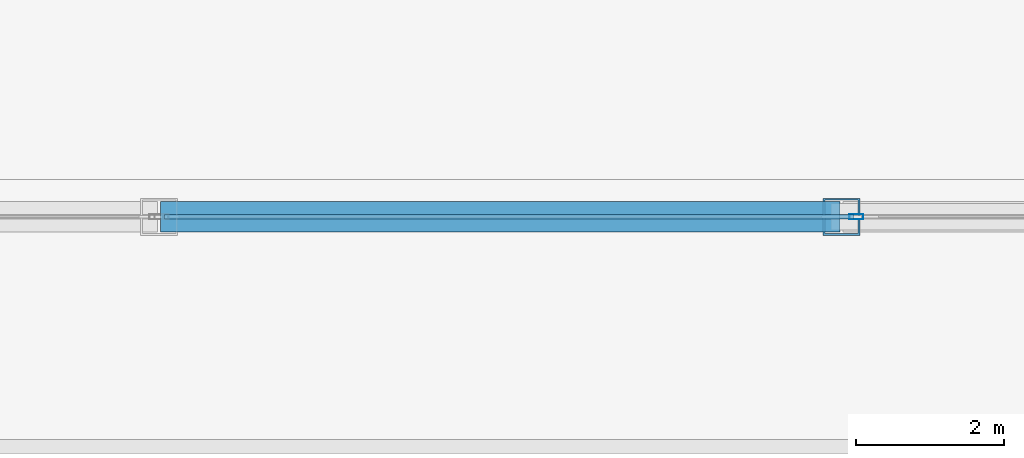
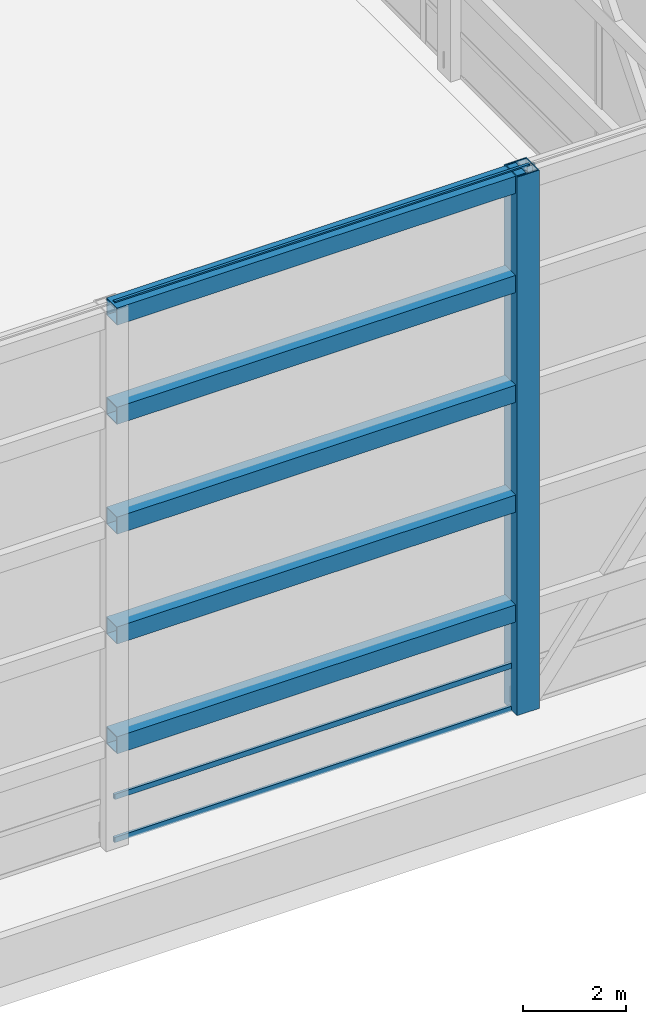
# One storey, part 6 of 23: 5 beams, 5 members, 1 element without a shape of its own.
"""IFC4 building model written with IfcOpenShell, lengths in metres."""

from ifc_helpers import new_model, si_unit, direction, frame, origin, origin_2d, place, context, subcontext, project, spatial, hollow_rectangle, extrude, source, transform, mapped, material, layer, layer_set, material_profile, profile_set, type_object, type_shapes, element, aggregate, save


model = new_model("IFC4")

# Units and contexts
model_context = context("Model", 3, precision=1e-05, world=origin(), true_north=direction((0.0, 1.0)))
body_context = subcontext(model_context, "Body", "Model", "MODEL_VIEW")
ifc_project = project(units=[si_unit("LENGTHUNIT", "METRE"), si_unit("AREAUNIT", "SQUARE_METRE"), si_unit("VOLUMEUNIT", "CUBIC_METRE"), si_unit("PLANEANGLEUNIT", "RADIAN"), si_unit("MASSUNIT", "GRAM", prefix="KILO")], contexts=[model_context])

# Site, building, storey
site_placement = place(None, origin())
site = spatial("IfcSite", under=ifc_project, at=site_placement, CompositionType="ELEMENT")
building_placement = place(site_placement, origin())
building = spatial("IfcBuilding", under=site, at=building_placement, Name="Varnel Quay Broadcast Tower", CompositionType="ELEMENT")
storey_placement = place(building_placement, frame((0.0, 0.0, 319.800048828125)))
storey = spatial("IfcBuildingStorey", under=building, at=storey_placement, Name="Roof", CompositionType="ELEMENT", Elevation=319.800048828125)

# Member
ifc_material_1 = material(Name="Structural Steel CSA G40.21 350WT", Category="steel")
ifc_material_profile_1 = material_profile(ifc_material_1, hollow_rectangle(XDim=0.5, YDim=0.5, WallThickness=0.02490234375, at=origin_2d()), Name="BOX500X500X25")
ifc_profile_set_1 = profile_set([ifc_material_profile_1], Name="Structural Steel CSA G40.21 350WT")
member_type_1 = type_object("IfcMemberType", Name="CrownRingPost_BOX500", PredefinedType="POST", material=ifc_profile_set_1)
shared_shape_1 = source(origin(), body_context, "Body", "SweptSolid", [
    extrude(hollow_rectangle(XDim=0.5, YDim=0.5, WallThickness=0.02490234375, at=origin_2d()), origin(), (0.0, 0.0, 1.0), 12.75),
])
type_shapes(member_type_1, [shared_shape_1])
member_1_placement = place(storey_placement, frame((43.199951171875, 16.39990234375, 0.0), z_axis=(0.0, 0.0, 1.0), x_axis=(1.0, 0.0, 0.0)))
element("IfcMember", 1, at=member_1_placement, inside=storey, type_object=member_type_1, Name="CROWN FRAME Ring Post 4", PredefinedType="POST", context=body_context, shape_type="MappedRepresentation", body=[
    mapped(shared_shape_1, transform((0.0, 0.0, 0.0), x_axis=(1.0, 0.0, 0.0), y_axis=(0.0, 1.0, 0.0), z_axis=(0.0, 0.0, 1.0), scale=1.0)),
])

# Beams
ifc_material_profile_2 = material_profile(ifc_material_1, hollow_rectangle(XDim=0.406005859375, YDim=0.406005859375, WallThickness=0.01611328125, at=origin_2d()), Name="HSS406X406X16")
ifc_profile_set_2 = profile_set([ifc_material_profile_2], Name="Structural Steel CSA G40.21 350WT")
beam_type = type_object("IfcBeamType", Name="CrownRingBeam_HSS406", PredefinedType="BEAM", material=ifc_profile_set_2)
shared_shape_2 = source(origin(), body_context, "Body", "SweptSolid", [
    extrude(hollow_rectangle(XDim=0.406005859375, YDim=0.406005859375, WallThickness=0.01611328125, at=origin_2d()), origin(), (0.0, 0.0, 1.0), 9.159912109375),
])
type_shapes(beam_type, [shared_shape_2])
for number, where, z_axis, x_axis, name in (
    (2, (34.02001953125, 16.39990234375, 2.39697265625), (1.0, 0.0, 0.0), (0.0, 1.0, 0.0), "CROWN FRAME Ring Tier 1 Beam 3"),
    (3, (34.02001953125, 16.39990234375, 4.9970703125), (1.0, 0.0, 0.0), (0.0, 1.0, 0.0), "CROWN FRAME Ring Tier 2 Beam 3"),
    (4, (34.02001953125, 16.39990234375, 7.596923828125), (1.0, 0.0, 0.0), (0.0, 1.0, 0.0), "CROWN FRAME Ring Tier 3 Beam 3"),
    (5, (34.02001953125, 16.39990234375, 10.197021484375), (1.0, 0.0, 0.0), (0.0, 1.0, 0.0), "CROWN FRAME Ring Tier 4 Beam 3"),
    (6, (34.02001953125, 16.39990234375, 12.546875), (1.0, 0.0, 0.0), (0.0, 1.0, 0.0), "CROWN FRAME Ring Tier 5 Beam 3"),
):
    element("IfcBeam", number, at=place(storey_placement, frame(where, z_axis=z_axis, x_axis=x_axis)), inside=storey, type_object=beam_type, Name=name, PredefinedType="BEAM", context=body_context, shape_type="MappedRepresentation", body=[
        mapped(shared_shape_2, transform((0.0, 0.0, 0.0), x_axis=(1.0, 0.0, 0.0), y_axis=(0.0, 1.0, 0.0), z_axis=(0.0, 0.0, 1.0), scale=1.0)),
    ])

# Curtain wall, members
ifc_material_2 = material(Name="Anodised Bronze Aluminium 6063-T6", Category="aluminium")
ifc_layer = layer(ifc_material_2, 0.18994140625, Name="Anodised Bronze Aluminium 6063-T6")
ifc_layer_set = layer_set([ifc_layer], Name="Anodised Bronze Aluminium 6063-T6")
curtain_wall_type = type_object("IfcCurtainWallType", Name="CW_CrownScreen", PredefinedType="NOTDEFINED", material=ifc_layer_set)
curtain_wall_placement = place(storey_placement, origin())
curtain_wall = element("IfcCurtainWall", 7, at=curtain_wall_placement, inside=storey, type_object=curtain_wall_type, Name="Ring Crown Bronze Glazed Louvre Screen S2", PredefinedType="NOTDEFINED")
ifc_material_profile_3 = material_profile(ifc_material_2, hollow_rectangle(XDim=0.070068359375, YDim=0.18994140625, WallThickness=0.00390625, at=origin_2d()), Name="ALU70X190X4")
ifc_profile_set_3 = profile_set([ifc_material_profile_3], Name="Anodised Bronze Aluminium 6063-T6")
member_type_2 = type_object("IfcMemberType", Name="Mull_CWS-06", PredefinedType="MULLION", material=ifc_profile_set_3)
shared_shape_3 = source(origin(), body_context, "Body", "SweptSolid", [
    extrude(hollow_rectangle(XDim=0.070068359375, YDim=0.18994140625, WallThickness=0.00390625, at=origin_2d()), origin(), (0.0, 0.0, 1.0), 12.75),
])
type_shapes(member_type_2, [shared_shape_3])
member_2_placement = place(storey_placement, frame((43.39990234375, 16.39990234375, 0.0), z_axis=(0.0, 0.0, 1.0), x_axis=(0.0, 1.0, 0.0)))
member_2 = element("IfcMember", 8, at=member_2_placement, type_object=member_type_2, Name="CWS-06 mullion 2", PredefinedType="MULLION", context=body_context, shape_type="MappedRepresentation", body=[
    mapped(shared_shape_3, transform((0.0, 0.0, 0.0), x_axis=(1.0, 0.0, 0.0), y_axis=(0.0, 1.0, 0.0), z_axis=(0.0, 0.0, 1.0), scale=1.0)),
])
ifc_material_profile_4 = material_profile(ifc_material_2, hollow_rectangle(XDim=0.06005859375, YDim=0.125, WallThickness=0.0029296875, at=origin_2d()), Name="ALU60X125X3")
ifc_profile_set_4 = profile_set([ifc_material_profile_4], Name="Anodised Bronze Aluminium 6063-T6")
member_type_3 = type_object("IfcMemberType", Name="Tran_CWS-06", PredefinedType="USERDEFINED", material=ifc_profile_set_4)
shared_shape_4 = source(origin(), body_context, "Body", "SweptSolid", [
    extrude(hollow_rectangle(XDim=0.06005859375, YDim=0.125, WallThickness=0.0029296875, at=origin_2d()), origin(), (0.0, 0.0, 1.0), 9.294921875),
])
type_shapes(member_type_3, [shared_shape_4])
member_3_placement = place(storey_placement, frame((34.070068359375, 16.39990234375, 0.030029296875), z_axis=(1.0, 0.0, 0.0), x_axis=(0.0, 1.0, 0.0)))
member_3 = element("IfcMember", 9, at=member_3_placement, type_object=member_type_3, Name="CWS-06 transom 1.1", ObjectType="TRANSOM", PredefinedType="USERDEFINED", context=body_context, shape_type="MappedRepresentation", body=[
    mapped(shared_shape_4, transform((0.0, 0.0, 0.0), x_axis=(1.0, 0.0, 0.0), y_axis=(0.0, 1.0, 0.0), z_axis=(0.0, 0.0, 1.0), scale=1.0)),
])
member_4_placement = place(storey_placement, frame((34.070068359375, 16.39990234375, 1.050048828125), z_axis=(1.0, 0.0, 0.0), x_axis=(0.0, 1.0, 0.0)))
member_4 = element("IfcMember", 10, at=member_4_placement, type_object=member_type_3, Name="CWS-06 transom 1.2", ObjectType="TRANSOM", PredefinedType="USERDEFINED", context=body_context, shape_type="MappedRepresentation", body=[
    mapped(shared_shape_4, transform((0.0, 0.0, 0.0), x_axis=(1.0, 0.0, 0.0), y_axis=(0.0, 1.0, 0.0), z_axis=(0.0, 0.0, 1.0), scale=1.0)),
])
member_5_placement = place(storey_placement, frame((34.070068359375, 16.39990234375, 12.719970703125), z_axis=(1.0, 0.0, 0.0), x_axis=(0.0, 1.0, 0.0)))
member_5 = element("IfcMember", 11, at=member_5_placement, type_object=member_type_3, Name="CWS-06 transom 1.3", ObjectType="TRANSOM", PredefinedType="USERDEFINED", context=body_context, shape_type="MappedRepresentation", body=[
    mapped(shared_shape_4, transform((0.0, 0.0, 0.0), x_axis=(1.0, 0.0, 0.0), y_axis=(0.0, 1.0, 0.0), z_axis=(0.0, 0.0, 1.0), scale=1.0)),
])
aggregate(curtain_wall, [member_2, member_3, member_4, member_5])

save(model, "model.ifc")
